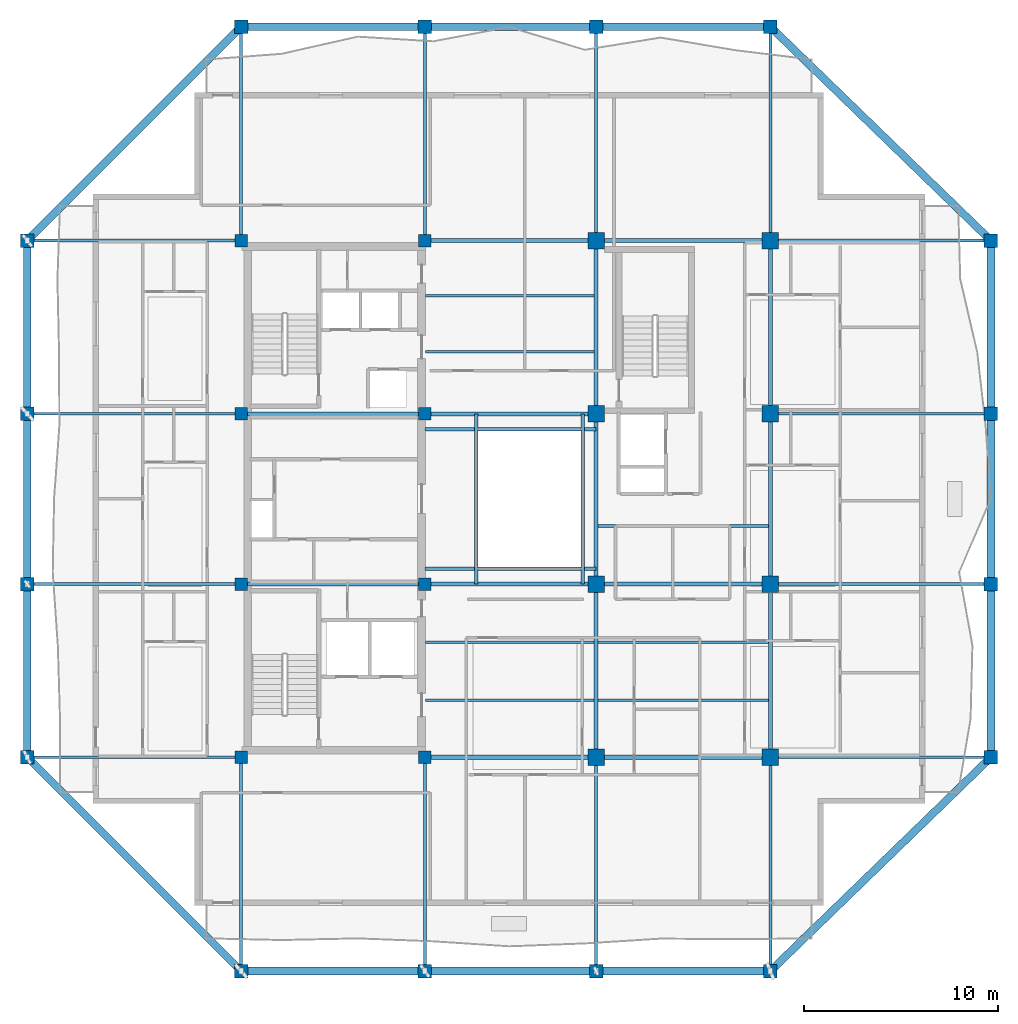
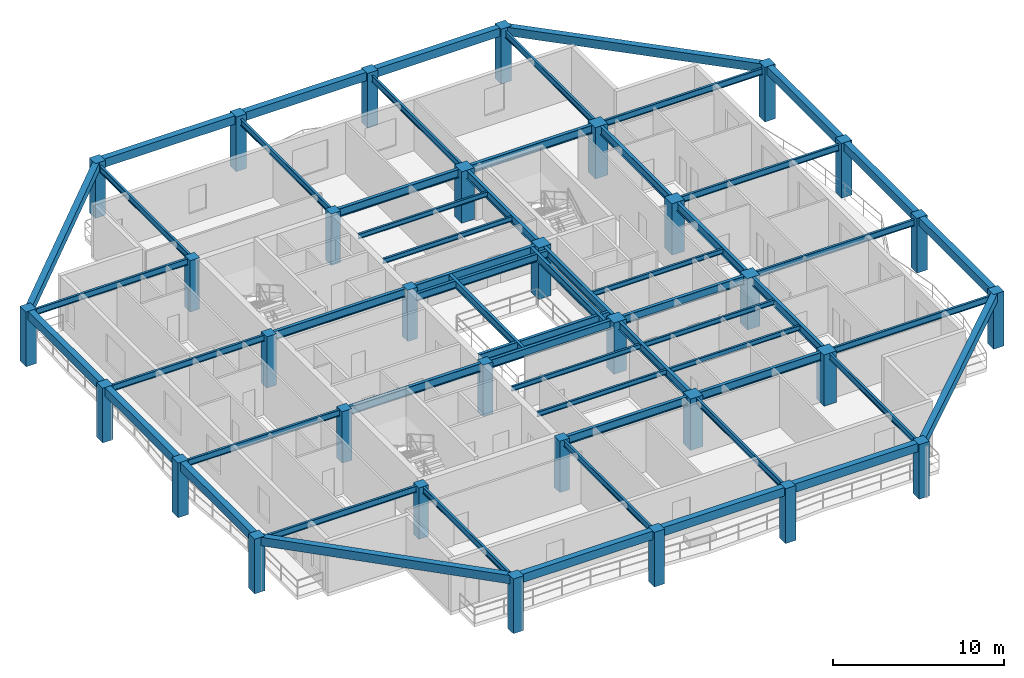
# One storey, part 1 of 13: 58 beams, 32 columns.
"""IFC4 building model written with IfcOpenShell, lengths in metres."""

from ifc_helpers import new_model, si_unit, direction, frame, origin, origin_2d, place, context, subcontext, project, spatial, rectangle, i_section, extrude, material, material_profile, profile_set, type_object, element, save


model = new_model("IFC4")

# Units and contexts
model_context = context("Model", 3, precision=1e-05, world=origin(), true_north=direction((0.0, 1.0)))
body_context = subcontext(model_context, "Body", "Model", "MODEL_VIEW")
ifc_project = project(units=[si_unit("LENGTHUNIT", "METRE"), si_unit("AREAUNIT", "SQUARE_METRE"), si_unit("VOLUMEUNIT", "CUBIC_METRE"), si_unit("PLANEANGLEUNIT", "RADIAN"), si_unit("MASSUNIT", "GRAM", prefix="KILO")], contexts=[model_context])

# Site, building, storey
site_placement = place(None, origin())
site = spatial("IfcSite", under=ifc_project, at=site_placement, CompositionType="ELEMENT")
building_placement = place(site_placement, origin())
building = spatial("IfcBuilding", under=site, at=building_placement, Name="Kundavana Baori Tower", CompositionType="ELEMENT")
storey_placement = place(building_placement, frame((0.0, 0.0, 229.699951171875)))
storey = spatial("IfcBuildingStorey", under=building, at=storey_placement, Name="L56", CompositionType="ELEMENT", Elevation=229.699951171875)

# Columns
ifc_material_1 = material(Name="Concrete C50/60", Category="concrete")
ifc_material_profile_1 = material_profile(ifc_material_1, rectangle(XDim=0.699951171875, YDim=0.699951171875, at=origin_2d()), Name="RC PF 700x700")
ifc_profile_set_1 = profile_set([ifc_material_profile_1], Name="Concrete C50/60")
column_type_1 = type_object("IfcColumnType", Name="COL-PF-700", PredefinedType="COLUMN", material=ifc_profile_set_1)
for number, where, z_axis, x_axis, name in (
    (1, (15.449951171875, 4.199951171875, 0.0), (0.0, 0.0, 1.0), (1.0, 0.0, 0.0), "L56 Stone-Clad Perimeter Frame Column PF-S1"),
    (2, (15.449951171875, 53.0, 0.0), (0.0, 0.0, 1.0), (1.0, 0.0, 0.0), "L56 Stone-Clad Perimeter Frame Column PF-N1"),
    (3, (24.949951171875, 4.199951171875, 0.0), (0.0, 0.0, 1.0), (1.0, 0.0, 0.0), "L56 Stone-Clad Perimeter Frame Column PF-S2"),
    (4, (24.949951171875, 53.0, 0.0), (0.0, 0.0, 1.0), (1.0, 0.0, 0.0), "L56 Stone-Clad Perimeter Frame Column PF-N2"),
    (5, (33.800048828125, 4.199951171875, 0.0), (0.0, 0.0, 1.0), (1.0, 0.0, 0.0), "L56 Stone-Clad Perimeter Frame Column PF-S3"),
    (6, (33.800048828125, 53.0, 0.0), (0.0, 0.0, 1.0), (1.0, 0.0, 0.0), "L56 Stone-Clad Perimeter Frame Column PF-N3"),
    (7, (42.800048828125, 4.199951171875, 0.0), (0.0, 0.0, 1.0), (1.0, 0.0, 0.0), "L56 Stone-Clad Perimeter Frame Column PF-S4"),
    (8, (42.800048828125, 53.0, 0.0), (0.0, 0.0, 1.0), (1.0, 0.0, 0.0), "L56 Stone-Clad Perimeter Frame Column PF-N4"),
    (9, (4.39990234375, 15.25, 0.0), (0.0, 0.0, 1.0), (1.0, 0.0, 0.0), "L56 Stone-Clad Perimeter Frame Column PF-W1"),
    (10, (54.199951171875, 15.25, 0.0), (0.0, 0.0, 1.0), (1.0, 0.0, 0.0), "L56 Stone-Clad Perimeter Frame Column PF-E1"),
    (11, (4.39990234375, 24.199951171875, 0.0), (0.0, 0.0, 1.0), (1.0, 0.0, 0.0), "L56 Stone-Clad Perimeter Frame Column PF-W2"),
    (12, (54.199951171875, 24.199951171875, 0.0), (0.0, 0.0, 1.0), (1.0, 0.0, 0.0), "L56 Stone-Clad Perimeter Frame Column PF-E2"),
    (13, (4.39990234375, 33.0, 0.0), (0.0, 0.0, 1.0), (1.0, 0.0, 0.0), "L56 Stone-Clad Perimeter Frame Column PF-W3"),
    (14, (54.199951171875, 33.0, 0.0), (0.0, 0.0, 1.0), (1.0, 0.0, 0.0), "L56 Stone-Clad Perimeter Frame Column PF-E3"),
    (15, (4.39990234375, 41.949951171875, 0.0), (0.0, 0.0, 1.0), (1.0, 0.0, 0.0), "L56 Stone-Clad Perimeter Frame Column PF-W4"),
    (16, (54.199951171875, 41.949951171875, 0.0), (0.0, 0.0, 1.0), (1.0, 0.0, 0.0), "L56 Stone-Clad Perimeter Frame Column PF-E4"),
):
    element("IfcColumn", number, at=place(storey_placement, frame(where, z_axis=z_axis, x_axis=x_axis)), inside=storey, type_object=column_type_1, Name=name, PredefinedType="COLUMN", context=body_context, shape_type="SweptSolid", body=[
        extrude(rectangle(XDim=0.699951171875, YDim=0.699951171875, at=origin_2d()), origin(), (0.0, 0.0, 1.0), 3.900146484375),
    ])
ifc_material_2 = material(Name="Concrete C50/60", Category="concrete")
ifc_material_profile_2 = material_profile(ifc_material_2, rectangle(XDim=0.64990234375, YDim=0.64990234375, at=origin_2d()), Name="RC 650x650")
ifc_profile_set_2 = profile_set([ifc_material_profile_2], Name="Concrete C50/60")
column_type_2 = type_object("IfcColumnType", Name="COL-RC-650", PredefinedType="COLUMN", material=ifc_profile_set_2)
for number, where, z_axis, x_axis, name in (
    (17, (15.449951171875, 15.25, 0.0), (0.0, 0.0, 1.0), (1.0, 0.0, 0.0), "L56 Interior Column IC-3C"),
    (18, (15.449951171875, 24.199951171875, 0.0), (0.0, 0.0, 1.0), (1.0, 0.0, 0.0), "L56 Interior Column IC-3D"),
    (19, (15.449951171875, 33.0, 0.0), (0.0, 0.0, 1.0), (1.0, 0.0, 0.0), "L56 Interior Column IC-3E"),
    (20, (15.449951171875, 41.949951171875, 0.0), (0.0, 0.0, 1.0), (1.0, 0.0, 0.0), "L56 Interior Column IC-3F"),
    (21, (24.949951171875, 15.25, 0.0), (0.0, 0.0, 1.0), (1.0, 0.0, 0.0), "L56 Interior Column IC-4C"),
    (22, (24.949951171875, 24.199951171875, 0.0), (0.0, 0.0, 1.0), (1.0, 0.0, 0.0), "L56 Interior Column IC-4D"),
    (23, (24.949951171875, 33.0, 0.0), (0.0, 0.0, 1.0), (1.0, 0.0, 0.0), "L56 Interior Column IC-4E"),
    (24, (24.949951171875, 41.949951171875, 0.0), (0.0, 0.0, 1.0), (1.0, 0.0, 0.0), "L56 Interior Column IC-4F"),
):
    element("IfcColumn", number, at=place(storey_placement, frame(where, z_axis=z_axis, x_axis=x_axis)), inside=storey, type_object=column_type_2, Name=name, PredefinedType="COLUMN", context=body_context, shape_type="SweptSolid", body=[
        extrude(rectangle(XDim=0.64990234375, YDim=0.64990234375, at=origin_2d()), origin(), (0.0, 0.0, 1.0), 3.66015625),
    ])
ifc_material_3 = material(Name="Concrete C50/60", Category="concrete")
ifc_material_profile_3 = material_profile(ifc_material_3, rectangle(XDim=0.85009765625, YDim=0.85009765625, at=origin_2d()), Name="RC 850x850")
ifc_profile_set_3 = profile_set([ifc_material_profile_3], Name="Concrete C50/60")
column_type_3 = type_object("IfcColumnType", Name="COL-RC-850", PredefinedType="COLUMN", material=ifc_profile_set_3)
for number, where, z_axis, x_axis, name in (
    (25, (33.800048828125, 15.25, 0.0), (0.0, 0.0, 1.0), (1.0, 0.0, 0.0), "L56 Interior Column IC-5C"),
    (26, (33.800048828125, 24.199951171875, 0.0), (0.0, 0.0, 1.0), (1.0, 0.0, 0.0), "L56 Interior Column IC-5D"),
    (27, (33.800048828125, 33.0, 0.0), (0.0, 0.0, 1.0), (1.0, 0.0, 0.0), "L56 Interior Column IC-5E"),
    (28, (33.800048828125, 41.949951171875, 0.0), (0.0, 0.0, 1.0), (1.0, 0.0, 0.0), "L56 Interior Column IC-5F"),
    (29, (42.800048828125, 15.25, 0.0), (0.0, 0.0, 1.0), (1.0, 0.0, 0.0), "L56 Interior Column IC-6C"),
    (30, (42.800048828125, 24.199951171875, 0.0), (0.0, 0.0, 1.0), (1.0, 0.0, 0.0), "L56 Interior Column IC-6D"),
    (31, (42.800048828125, 33.0, 0.0), (0.0, 0.0, 1.0), (1.0, 0.0, 0.0), "L56 Interior Column IC-6E"),
    (32, (42.800048828125, 41.949951171875, 0.0), (0.0, 0.0, 1.0), (1.0, 0.0, 0.0), "L56 Interior Column IC-6F"),
):
    element("IfcColumn", number, at=place(storey_placement, frame(where, z_axis=z_axis, x_axis=x_axis)), inside=storey, type_object=column_type_3, Name=name, PredefinedType="COLUMN", context=body_context, shape_type="SweptSolid", body=[
        extrude(rectangle(XDim=0.85009765625, YDim=0.85009765625, at=origin_2d()), origin(), (0.0, 0.0, 1.0), 3.66015625),
    ])

# Beams
ifc_material_4 = material(Name="Structural Steel S355JR", Category="steel")
ifc_material_profile_4 = material_profile(ifc_material_4, i_section(OverallWidth=0.139892578125, OverallDepth=0.35009765625, WebThickness=0.008056640625, FlangeThickness=0.01416015625, FilletRadius=0.013916015625, at=origin_2d()), Name="ISMB 350")
ifc_profile_set_4 = profile_set([ifc_material_profile_4], Name="Structural Steel S355JR")
beam_type_1 = type_object("IfcBeamType", Name="BM-JST-350", PredefinedType="JOIST", material=ifc_profile_set_4)
for number, where, z_axis, x_axis, name in (
    (33, (24.97998046875, 18.199951171875, 3.485107421875), (1.0, 0.0, 0.0), (0.0, 1.0, 0.0), "L56 Central Bay Composite Floor Joist C1"),
    (34, (24.97998046875, 21.199951171875, 3.485107421875), (1.0, 0.0, 0.0), (0.0, 1.0, 0.0), "L56 Central Bay Composite Floor Joist C2"),
    (35, (24.97998046875, 36.199951171875, 3.485107421875), (1.0, 0.0, 0.0), (0.0, 1.0, 0.0), "L56 Central Bay Composite Floor Joist C3"),
    (36, (24.97998046875, 39.10009765625, 3.485107421875), (1.0, 0.0, 0.0), (0.0, 1.0, 0.0), "L56 Central Bay Composite Floor Joist C4"),
):
    element("IfcBeam", number, at=place(storey_placement, frame(where, z_axis=z_axis, x_axis=x_axis)), inside=storey, type_object=beam_type_1, Name=name, PredefinedType="JOIST", context=body_context, shape_type="SweptSolid", body=[
        extrude(i_section(OverallWidth=0.139892578125, OverallDepth=0.35009765625, WebThickness=0.008056640625, FlangeThickness=0.01416015625, FilletRadius=0.013916015625, at=origin_2d()), origin(), (0.0, 0.0, 1.0), 8.715087890625),
    ])
for number, where, z_axis, x_axis, name in (
    (37, (33.905029296875, 18.199951171875, 3.485107421875), (1.0, 0.0, 0.0), (0.0, 1.0, 0.0), "L56 East Bay Composite Floor Joist E1"),
    (38, (33.905029296875, 21.199951171875, 3.485107421875), (1.0, 0.0, 0.0), (0.0, 1.0, 0.0), "L56 East Bay Composite Floor Joist E2"),
    (39, (33.905029296875, 27.199951171875, 3.485107421875), (1.0, 0.0, 0.0), (0.0, 1.0, 0.0), "L56 East Bay Composite Floor Joist E3"),
):
    element("IfcBeam", number, at=place(storey_placement, frame(where, z_axis=z_axis, x_axis=x_axis)), inside=storey, type_object=beam_type_1, Name=name, PredefinedType="JOIST", context=body_context, shape_type="SweptSolid", body=[
        extrude(i_section(OverallWidth=0.139892578125, OverallDepth=0.35009765625, WebThickness=0.008056640625, FlangeThickness=0.01416015625, FilletRadius=0.013916015625, at=origin_2d()), origin(), (0.0, 0.0, 1.0), 8.7900390625),
    ])
ifc_material_5 = material(Name="Concrete C50/60", Category="concrete")
ifc_material_profile_5 = material_profile(ifc_material_5, rectangle(XDim=0.39990234375, YDim=0.60009765625, at=origin_2d()), Name="RC BM 400x600")
ifc_profile_set_5 = profile_set([ifc_material_profile_5], Name="Concrete C50/60")
beam_type_2 = type_object("IfcBeamType", Name="BM-PF-600", PredefinedType="SPANDREL", material=ifc_profile_set_5)
beam_1_placement = place(storey_placement, frame((15.449951171875, 4.199951171875, 3.60009765625), z_axis=(1.0, 0.0, 0.0), x_axis=(0.0, 1.0, 0.0)))
element("IfcBeam", 40, at=beam_1_placement, inside=storey, type_object=beam_type_2, Name="L56 Perimeter Frame Ring Beam S1", PredefinedType="SPANDREL", context=body_context, shape_type="SweptSolid", body=[
    extrude(rectangle(XDim=0.39990234375, YDim=0.60009765625, at=origin_2d()), origin(), (0.0, 0.0, 1.0), 9.5),
])
beam_2_placement = place(storey_placement, frame((24.949951171875, 4.199951171875, 3.60009765625), z_axis=(1.0, 0.0, 0.0), x_axis=(0.0, 1.0, 0.0)))
element("IfcBeam", 41, at=beam_2_placement, inside=storey, type_object=beam_type_2, Name="L56 Perimeter Frame Ring Beam S2", PredefinedType="SPANDREL", context=body_context, shape_type="SweptSolid", body=[
    extrude(rectangle(XDim=0.39990234375, YDim=0.60009765625, at=origin_2d()), origin(), (0.0, 0.0, 1.0), 8.85009765625),
])
beam_3_placement = place(storey_placement, frame((33.800048828125, 4.199951171875, 3.60009765625), z_axis=(1.0, 0.0, 0.0), x_axis=(0.0, 1.0, 0.0)))
element("IfcBeam", 42, at=beam_3_placement, inside=storey, type_object=beam_type_2, Name="L56 Perimeter Frame Ring Beam S3", PredefinedType="SPANDREL", context=body_context, shape_type="SweptSolid", body=[
    extrude(rectangle(XDim=0.39990234375, YDim=0.60009765625, at=origin_2d()), origin(), (0.0, 0.0, 1.0), 9.0),
])
beam_4_placement = place(storey_placement, frame((15.449951171875, 53.0, 3.60009765625), z_axis=(1.0, 0.0, 0.0), x_axis=(0.0, 1.0, 0.0)))
element("IfcBeam", 43, at=beam_4_placement, inside=storey, type_object=beam_type_2, Name="L56 Perimeter Frame Ring Beam N1", PredefinedType="SPANDREL", context=body_context, shape_type="SweptSolid", body=[
    extrude(rectangle(XDim=0.39990234375, YDim=0.60009765625, at=origin_2d()), origin(), (0.0, 0.0, 1.0), 9.5),
])
beam_5_placement = place(storey_placement, frame((24.949951171875, 53.0, 3.60009765625), z_axis=(1.0, 0.0, 0.0), x_axis=(0.0, 1.0, 0.0)))
element("IfcBeam", 44, at=beam_5_placement, inside=storey, type_object=beam_type_2, Name="L56 Perimeter Frame Ring Beam N2", PredefinedType="SPANDREL", context=body_context, shape_type="SweptSolid", body=[
    extrude(rectangle(XDim=0.39990234375, YDim=0.60009765625, at=origin_2d()), origin(), (0.0, 0.0, 1.0), 8.85009765625),
])
beam_6_placement = place(storey_placement, frame((33.800048828125, 53.0, 3.60009765625), z_axis=(1.0, 0.0, 0.0), x_axis=(0.0, 1.0, 0.0)))
element("IfcBeam", 45, at=beam_6_placement, inside=storey, type_object=beam_type_2, Name="L56 Perimeter Frame Ring Beam N3", PredefinedType="SPANDREL", context=body_context, shape_type="SweptSolid", body=[
    extrude(rectangle(XDim=0.39990234375, YDim=0.60009765625, at=origin_2d()), origin(), (0.0, 0.0, 1.0), 9.0),
])
beam_7_placement = place(storey_placement, frame((4.39990234375, 15.25, 3.60009765625), z_axis=(0.0, 1.0, 0.0), x_axis=(-1.0, 0.0, 0.0)))
element("IfcBeam", 46, at=beam_7_placement, inside=storey, type_object=beam_type_2, Name="L56 Perimeter Frame Ring Beam W1", PredefinedType="SPANDREL", context=body_context, shape_type="SweptSolid", body=[
    extrude(rectangle(XDim=0.39990234375, YDim=0.60009765625, at=origin_2d()), origin(), (0.0, 0.0, 1.0), 8.949951171875),
])
beam_8_placement = place(storey_placement, frame((4.39990234375, 24.199951171875, 3.60009765625), z_axis=(0.0, 1.0, 0.0), x_axis=(-1.0, 0.0, 0.0)))
element("IfcBeam", 47, at=beam_8_placement, inside=storey, type_object=beam_type_2, Name="L56 Perimeter Frame Ring Beam W2", PredefinedType="SPANDREL", context=body_context, shape_type="SweptSolid", body=[
    extrude(rectangle(XDim=0.39990234375, YDim=0.60009765625, at=origin_2d()), origin(), (0.0, 0.0, 1.0), 8.800048828125),
])
for number, where, z_axis, x_axis, name in (
    (48, (4.39990234375, 33.0, 3.60009765625), (0.0, 1.0, 0.0), (-1.0, 0.0, 0.0), "L56 Perimeter Frame Ring Beam W3"),
    (49, (54.199951171875, 15.25, 3.60009765625), (0.0, 1.0, 0.0), (-1.0, 0.0, 0.0), "L56 Perimeter Frame Ring Beam E1"),
):
    element("IfcBeam", number, at=place(storey_placement, frame(where, z_axis=z_axis, x_axis=x_axis)), inside=storey, type_object=beam_type_2, Name=name, PredefinedType="SPANDREL", context=body_context, shape_type="SweptSolid", body=[
        extrude(rectangle(XDim=0.39990234375, YDim=0.60009765625, at=origin_2d()), origin(), (0.0, 0.0, 1.0), 8.949951171875),
    ])
beam_9_placement = place(storey_placement, frame((54.199951171875, 24.199951171875, 3.60009765625), z_axis=(0.0, 1.0, 0.0), x_axis=(-1.0, 0.0, 0.0)))
element("IfcBeam", 50, at=beam_9_placement, inside=storey, type_object=beam_type_2, Name="L56 Perimeter Frame Ring Beam E2", PredefinedType="SPANDREL", context=body_context, shape_type="SweptSolid", body=[
    extrude(rectangle(XDim=0.39990234375, YDim=0.60009765625, at=origin_2d()), origin(), (0.0, 0.0, 1.0), 8.800048828125),
])
beam_10_placement = place(storey_placement, frame((54.199951171875, 33.0, 3.60009765625), z_axis=(0.0, 1.0, 0.0), x_axis=(-1.0, 0.0, 0.0)))
element("IfcBeam", 51, at=beam_10_placement, inside=storey, type_object=beam_type_2, Name="L56 Perimeter Frame Ring Beam E3", PredefinedType="SPANDREL", context=body_context, shape_type="SweptSolid", body=[
    extrude(rectangle(XDim=0.39990234375, YDim=0.60009765625, at=origin_2d()), origin(), (0.0, 0.0, 1.0), 8.949951171875),
])
beam_11_placement = place(storey_placement, frame((15.449951171875, 4.199951171875, 3.60009765625), z_axis=(-0.707106781187, 0.707106781187, 0.0), x_axis=(-0.707106781187, -0.707106781187, 0.0)))
element("IfcBeam", 52, at=beam_11_placement, inside=storey, type_object=beam_type_2, Name="L56 Notched Corner Perimeter Beam SW", PredefinedType="SPANDREL", context=body_context, shape_type="SweptSolid", body=[
    extrude(rectangle(XDim=0.39990234375, YDim=0.60009765625, at=origin_2d()), origin(), (0.0, 0.0, 1.0), 15.627197265625),
])
beam_12_placement = place(storey_placement, frame((42.800048828125, 4.199951171875, 3.60009765625), z_axis=(0.718038944492, 0.696002926857, 0.0), x_axis=(-0.696002926857, 0.718038944492, 0.0)))
element("IfcBeam", 53, at=beam_12_placement, inside=storey, type_object=beam_type_2, Name="L56 Notched Corner Perimeter Beam SE", PredefinedType="SPANDREL", context=body_context, shape_type="SweptSolid", body=[
    extrude(rectangle(XDim=0.39990234375, YDim=0.60009765625, at=origin_2d()), origin(), (0.0, 0.0, 1.0), 15.87646484375),
])
beam_13_placement = place(storey_placement, frame((15.449951171875, 53.0, 3.60009765625), z_axis=(-0.707106781187, -0.707106781187, 0.0), x_axis=(0.707106781187, -0.707106781187, 0.0)))
element("IfcBeam", 54, at=beam_13_placement, inside=storey, type_object=beam_type_2, Name="L56 Notched Corner Perimeter Beam NW", PredefinedType="SPANDREL", context=body_context, shape_type="SweptSolid", body=[
    extrude(rectangle(XDim=0.39990234375, YDim=0.60009765625, at=origin_2d()), origin(), (0.0, 0.0, 1.0), 15.627197265625),
])
beam_14_placement = place(storey_placement, frame((42.800048828125, 53.0, 3.60009765625), z_axis=(0.718038944492, -0.696002926857, 0.0), x_axis=(0.696002926857, 0.718038944492, 0.0)))
element("IfcBeam", 55, at=beam_14_placement, inside=storey, type_object=beam_type_2, Name="L56 Notched Corner Perimeter Beam NE", PredefinedType="SPANDREL", context=body_context, shape_type="SweptSolid", body=[
    extrude(rectangle(XDim=0.39990234375, YDim=0.60009765625, at=origin_2d()), origin(), (0.0, 0.0, 1.0), 15.87646484375),
])
ifc_material_6 = material(Name="Structural Steel S355JR", Category="steel")
ifc_material_profile_6 = material_profile(ifc_material_6, i_section(OverallWidth=0.18994140625, OverallDepth=0.550048828125, WebThickness=0.01123046875, FlangeThickness=0.019287109375, FilletRadius=0.01806640625, at=origin_2d()), Name="ISMB 550")
ifc_profile_set_6 = profile_set([ifc_material_profile_6], Name="Structural Steel S355JR")
beam_type_3 = type_object("IfcBeamType", Name="BM-ST-550", PredefinedType="BEAM", material=ifc_profile_set_6)
for number, where, z_axis, x_axis, name in (
    (56, (27.60009765625, 24.199951171875, 3.385009765625), (0.0, 1.0, 0.0), (-1.0, 0.0, 0.0), "L56 Atrium West Edge Beam"),
    (57, (33.10009765625, 24.199951171875, 3.385009765625), (0.0, 1.0, 0.0), (-1.0, 0.0, 0.0), "L56 Atrium East Edge Beam"),
):
    element("IfcBeam", number, at=place(storey_placement, frame(where, z_axis=z_axis, x_axis=x_axis)), inside=storey, type_object=beam_type_3, Name=name, PredefinedType="BEAM", context=body_context, shape_type="SweptSolid", body=[
        extrude(i_section(OverallWidth=0.18994140625, OverallDepth=0.550048828125, WebThickness=0.01123046875, FlangeThickness=0.019287109375, FilletRadius=0.01806640625, at=origin_2d()), origin(), (0.0, 0.0, 1.0), 8.800048828125),
    ])
for number, where, z_axis, x_axis, name in (
    (58, (24.949951171875, 25.0, 3.385009765625), (1.0, 0.0, 0.0), (0.0, 1.0, 0.0), "L56 Atrium South Edge Beam"),
    (59, (24.949951171875, 32.199951171875, 3.385009765625), (1.0, 0.0, 0.0), (0.0, 1.0, 0.0), "L56 Atrium North Edge Beam"),
):
    element("IfcBeam", number, at=place(storey_placement, frame(where, z_axis=z_axis, x_axis=x_axis)), inside=storey, type_object=beam_type_3, Name=name, PredefinedType="BEAM", context=body_context, shape_type="SweptSolid", body=[
        extrude(i_section(OverallWidth=0.18994140625, OverallDepth=0.550048828125, WebThickness=0.01123046875, FlangeThickness=0.019287109375, FilletRadius=0.01806640625, at=origin_2d()), origin(), (0.0, 0.0, 1.0), 8.85009765625),
    ])
ifc_material_7 = material(Name="Structural Steel S355JR", Category="steel")
ifc_material_profile_7 = material_profile(ifc_material_7, i_section(OverallWidth=0.2099609375, OverallDepth=0.60009765625, WebThickness=0.011962890625, FlangeThickness=0.020751953125, FilletRadius=0.02001953125, at=origin_2d()), Name="ISMB 600")
ifc_profile_set_7 = profile_set([ifc_material_profile_7], Name="Structural Steel S355JR")
beam_type_4 = type_object("IfcBeamType", Name="BM-ST-600", PredefinedType="BEAM", material=ifc_profile_set_7)
beam_15_placement = place(storey_placement, frame((24.949951171875, 15.25, 3.360107421875), z_axis=(1.0, 0.0, 0.0), x_axis=(0.0, 1.0, 0.0)))
element("IfcBeam", 60, at=beam_15_placement, inside=storey, type_object=beam_type_4, Name="L56 Primary Grid Girder GX-1-2", PredefinedType="BEAM", context=body_context, shape_type="SweptSolid", body=[
    extrude(i_section(OverallWidth=0.2099609375, OverallDepth=0.60009765625, WebThickness=0.011962890625, FlangeThickness=0.020751953125, FilletRadius=0.02001953125, at=origin_2d()), origin(), (0.0, 0.0, 1.0), 8.85009765625),
])
beam_16_placement = place(storey_placement, frame((33.800048828125, 15.25, 3.360107421875), z_axis=(1.0, 0.0, 0.0), x_axis=(0.0, 1.0, 0.0)))
element("IfcBeam", 61, at=beam_16_placement, inside=storey, type_object=beam_type_4, Name="L56 Primary Grid Girder GX-1-3", PredefinedType="BEAM", context=body_context, shape_type="SweptSolid", body=[
    extrude(i_section(OverallWidth=0.2099609375, OverallDepth=0.60009765625, WebThickness=0.011962890625, FlangeThickness=0.020751953125, FilletRadius=0.02001953125, at=origin_2d()), origin(), (0.0, 0.0, 1.0), 9.0),
])
beam_17_placement = place(storey_placement, frame((15.449951171875, 24.199951171875, 3.360107421875), z_axis=(1.0, 0.0, 0.0), x_axis=(0.0, 1.0, 0.0)))
element("IfcBeam", 62, at=beam_17_placement, inside=storey, type_object=beam_type_4, Name="L56 Primary Grid Girder GX-2-1", PredefinedType="BEAM", context=body_context, shape_type="SweptSolid", body=[
    extrude(i_section(OverallWidth=0.2099609375, OverallDepth=0.60009765625, WebThickness=0.011962890625, FlangeThickness=0.020751953125, FilletRadius=0.02001953125, at=origin_2d()), origin(), (0.0, 0.0, 1.0), 9.5),
])
beam_18_placement = place(storey_placement, frame((24.949951171875, 24.199951171875, 3.360107421875), z_axis=(1.0, 0.0, 0.0), x_axis=(0.0, 1.0, 0.0)))
element("IfcBeam", 63, at=beam_18_placement, inside=storey, type_object=beam_type_4, Name="L56 Primary Grid Girder GX-2-2", PredefinedType="BEAM", context=body_context, shape_type="SweptSolid", body=[
    extrude(i_section(OverallWidth=0.2099609375, OverallDepth=0.60009765625, WebThickness=0.011962890625, FlangeThickness=0.020751953125, FilletRadius=0.02001953125, at=origin_2d()), origin(), (0.0, 0.0, 1.0), 8.85009765625),
])
beam_19_placement = place(storey_placement, frame((33.800048828125, 24.199951171875, 3.360107421875), z_axis=(1.0, 0.0, 0.0), x_axis=(0.0, 1.0, 0.0)))
element("IfcBeam", 64, at=beam_19_placement, inside=storey, type_object=beam_type_4, Name="L56 Primary Grid Girder GX-2-3", PredefinedType="BEAM", context=body_context, shape_type="SweptSolid", body=[
    extrude(i_section(OverallWidth=0.2099609375, OverallDepth=0.60009765625, WebThickness=0.011962890625, FlangeThickness=0.020751953125, FilletRadius=0.02001953125, at=origin_2d()), origin(), (0.0, 0.0, 1.0), 9.0),
])
beam_20_placement = place(storey_placement, frame((15.449951171875, 33.0, 3.360107421875), z_axis=(1.0, 0.0, 0.0), x_axis=(0.0, 1.0, 0.0)))
element("IfcBeam", 65, at=beam_20_placement, inside=storey, type_object=beam_type_4, Name="L56 Primary Grid Girder GX-3-1", PredefinedType="BEAM", context=body_context, shape_type="SweptSolid", body=[
    extrude(i_section(OverallWidth=0.2099609375, OverallDepth=0.60009765625, WebThickness=0.011962890625, FlangeThickness=0.020751953125, FilletRadius=0.02001953125, at=origin_2d()), origin(), (0.0, 0.0, 1.0), 9.5),
])
for number, where, z_axis, x_axis, name in (
    (66, (24.949951171875, 33.0, 3.360107421875), (1.0, 0.0, 0.0), (0.0, 1.0, 0.0), "L56 Primary Grid Girder GX-3-2"),
    (67, (24.949951171875, 41.949951171875, 3.360107421875), (1.0, 0.0, 0.0), (0.0, 1.0, 0.0), "L56 Primary Grid Girder GX-4-2"),
):
    element("IfcBeam", number, at=place(storey_placement, frame(where, z_axis=z_axis, x_axis=x_axis)), inside=storey, type_object=beam_type_4, Name=name, PredefinedType="BEAM", context=body_context, shape_type="SweptSolid", body=[
        extrude(i_section(OverallWidth=0.2099609375, OverallDepth=0.60009765625, WebThickness=0.011962890625, FlangeThickness=0.020751953125, FilletRadius=0.02001953125, at=origin_2d()), origin(), (0.0, 0.0, 1.0), 8.85009765625),
    ])
beam_21_placement = place(storey_placement, frame((33.800048828125, 41.949951171875, 3.360107421875), z_axis=(1.0, 0.0, 0.0), x_axis=(0.0, 1.0, 0.0)))
element("IfcBeam", 68, at=beam_21_placement, inside=storey, type_object=beam_type_4, Name="L56 Primary Grid Girder GX-4-3", PredefinedType="BEAM", context=body_context, shape_type="SweptSolid", body=[
    extrude(i_section(OverallWidth=0.2099609375, OverallDepth=0.60009765625, WebThickness=0.011962890625, FlangeThickness=0.020751953125, FilletRadius=0.02001953125, at=origin_2d()), origin(), (0.0, 0.0, 1.0), 9.0),
])
beam_22_placement = place(storey_placement, frame((33.800048828125, 15.25, 3.360107421875), z_axis=(0.0, 1.0, 0.0), x_axis=(-1.0, 0.0, 0.0)))
element("IfcBeam", 69, at=beam_22_placement, inside=storey, type_object=beam_type_4, Name="L56 Primary Grid Girder GY-3-1", PredefinedType="BEAM", context=body_context, shape_type="SweptSolid", body=[
    extrude(i_section(OverallWidth=0.2099609375, OverallDepth=0.60009765625, WebThickness=0.011962890625, FlangeThickness=0.020751953125, FilletRadius=0.02001953125, at=origin_2d()), origin(), (0.0, 0.0, 1.0), 8.949951171875),
])
beam_23_placement = place(storey_placement, frame((33.800048828125, 24.199951171875, 3.360107421875), z_axis=(0.0, 1.0, 0.0), x_axis=(-1.0, 0.0, 0.0)))
element("IfcBeam", 70, at=beam_23_placement, inside=storey, type_object=beam_type_4, Name="L56 Primary Grid Girder GY-3-2", PredefinedType="BEAM", context=body_context, shape_type="SweptSolid", body=[
    extrude(i_section(OverallWidth=0.2099609375, OverallDepth=0.60009765625, WebThickness=0.011962890625, FlangeThickness=0.020751953125, FilletRadius=0.02001953125, at=origin_2d()), origin(), (0.0, 0.0, 1.0), 8.800048828125),
])
for number, where, z_axis, x_axis, name in (
    (71, (33.800048828125, 33.0, 3.360107421875), (0.0, 1.0, 0.0), (-1.0, 0.0, 0.0), "L56 Primary Grid Girder GY-3-3"),
    (72, (42.800048828125, 15.25, 3.360107421875), (0.0, 1.0, 0.0), (-1.0, 0.0, 0.0), "L56 Primary Grid Girder GY-4-1"),
):
    element("IfcBeam", number, at=place(storey_placement, frame(where, z_axis=z_axis, x_axis=x_axis)), inside=storey, type_object=beam_type_4, Name=name, PredefinedType="BEAM", context=body_context, shape_type="SweptSolid", body=[
        extrude(i_section(OverallWidth=0.2099609375, OverallDepth=0.60009765625, WebThickness=0.011962890625, FlangeThickness=0.020751953125, FilletRadius=0.02001953125, at=origin_2d()), origin(), (0.0, 0.0, 1.0), 8.949951171875),
    ])
beam_24_placement = place(storey_placement, frame((42.800048828125, 24.199951171875, 3.360107421875), z_axis=(0.0, 1.0, 0.0), x_axis=(-1.0, 0.0, 0.0)))
element("IfcBeam", 73, at=beam_24_placement, inside=storey, type_object=beam_type_4, Name="L56 Primary Grid Girder GY-4-2", PredefinedType="BEAM", context=body_context, shape_type="SweptSolid", body=[
    extrude(i_section(OverallWidth=0.2099609375, OverallDepth=0.60009765625, WebThickness=0.011962890625, FlangeThickness=0.020751953125, FilletRadius=0.02001953125, at=origin_2d()), origin(), (0.0, 0.0, 1.0), 8.800048828125),
])
beam_25_placement = place(storey_placement, frame((42.800048828125, 33.0, 3.360107421875), z_axis=(0.0, 1.0, 0.0), x_axis=(-1.0, 0.0, 0.0)))
element("IfcBeam", 74, at=beam_25_placement, inside=storey, type_object=beam_type_4, Name="L56 Primary Grid Girder GY-4-3", PredefinedType="BEAM", context=body_context, shape_type="SweptSolid", body=[
    extrude(i_section(OverallWidth=0.2099609375, OverallDepth=0.60009765625, WebThickness=0.011962890625, FlangeThickness=0.020751953125, FilletRadius=0.02001953125, at=origin_2d()), origin(), (0.0, 0.0, 1.0), 8.949951171875),
])
ifc_material_8 = material(Name="Structural Steel S355JR", Category="steel")
ifc_material_profile_8 = material_profile(ifc_material_8, i_section(OverallWidth=0.14990234375, OverallDepth=0.449951171875, WebThickness=0.009521484375, FlangeThickness=0.017333984375, FilletRadius=0.014892578125, at=origin_2d()), Name="ISMB 450")
ifc_profile_set_8 = profile_set([ifc_material_profile_8], Name="Structural Steel S355JR")
beam_type_5 = type_object("IfcBeamType", Name="BM-TIE-450", PredefinedType="BEAM", material=ifc_profile_set_8)
for number, where, z_axis, x_axis, name in (
    (75, (15.449951171875, 15.25, 3.43505859375), (0.0, -1.0, 0.0), (1.0, 0.0, 0.0), "L56 South Radial Loggia Tie Beam S1"),
    (76, (15.449951171875, 41.949951171875, 3.43505859375), (0.0, 1.0, 0.0), (-1.0, 0.0, 0.0), "L56 North Radial Loggia Tie Beam N1"),
    (77, (24.949951171875, 15.25, 3.43505859375), (0.0, -1.0, 0.0), (1.0, 0.0, 0.0), "L56 South Radial Loggia Tie Beam S2"),
    (78, (24.949951171875, 41.949951171875, 3.43505859375), (0.0, 1.0, 0.0), (-1.0, 0.0, 0.0), "L56 North Radial Loggia Tie Beam N2"),
    (79, (33.800048828125, 15.25, 3.43505859375), (0.0, -1.0, 0.0), (1.0, 0.0, 0.0), "L56 South Radial Loggia Tie Beam S3"),
    (80, (33.800048828125, 41.949951171875, 3.43505859375), (0.0, 1.0, 0.0), (-1.0, 0.0, 0.0), "L56 North Radial Loggia Tie Beam N3"),
    (81, (42.800048828125, 15.25, 3.43505859375), (0.0, -1.0, 0.0), (1.0, 0.0, 0.0), "L56 South Radial Loggia Tie Beam S4"),
    (82, (42.800048828125, 41.949951171875, 3.43505859375), (0.0, 1.0, 0.0), (-1.0, 0.0, 0.0), "L56 North Radial Loggia Tie Beam N4"),
    (83, (15.449951171875, 15.25, 3.43505859375), (-1.0, 0.0, 0.0), (0.0, -1.0, 0.0), "L56 West Radial Loggia Tie Beam W1"),
):
    element("IfcBeam", number, at=place(storey_placement, frame(where, z_axis=z_axis, x_axis=x_axis)), inside=storey, type_object=beam_type_5, Name=name, PredefinedType="BEAM", context=body_context, shape_type="SweptSolid", body=[
        extrude(i_section(OverallWidth=0.14990234375, OverallDepth=0.449951171875, WebThickness=0.009521484375, FlangeThickness=0.017333984375, FilletRadius=0.014892578125, at=origin_2d()), origin(), (0.0, 0.0, 1.0), 11.050048828125),
    ])
beam_26_placement = place(storey_placement, frame((42.800048828125, 15.25, 3.43505859375), z_axis=(1.0, 0.0, 0.0), x_axis=(0.0, 1.0, 0.0)))
element("IfcBeam", 84, at=beam_26_placement, inside=storey, type_object=beam_type_5, Name="L56 East Radial Loggia Tie Beam E1", PredefinedType="BEAM", context=body_context, shape_type="SweptSolid", body=[
    extrude(i_section(OverallWidth=0.14990234375, OverallDepth=0.449951171875, WebThickness=0.009521484375, FlangeThickness=0.017333984375, FilletRadius=0.014892578125, at=origin_2d()), origin(), (0.0, 0.0, 1.0), 11.39990234375),
])
beam_27_placement = place(storey_placement, frame((15.449951171875, 24.199951171875, 3.43505859375), z_axis=(-1.0, 0.0, 0.0), x_axis=(0.0, -1.0, 0.0)))
element("IfcBeam", 85, at=beam_27_placement, inside=storey, type_object=beam_type_5, Name="L56 West Radial Loggia Tie Beam W2", PredefinedType="BEAM", context=body_context, shape_type="SweptSolid", body=[
    extrude(i_section(OverallWidth=0.14990234375, OverallDepth=0.449951171875, WebThickness=0.009521484375, FlangeThickness=0.017333984375, FilletRadius=0.014892578125, at=origin_2d()), origin(), (0.0, 0.0, 1.0), 11.050048828125),
])
beam_28_placement = place(storey_placement, frame((42.800048828125, 24.199951171875, 3.43505859375), z_axis=(1.0, 0.0, 0.0), x_axis=(0.0, 1.0, 0.0)))
element("IfcBeam", 86, at=beam_28_placement, inside=storey, type_object=beam_type_5, Name="L56 East Radial Loggia Tie Beam E2", PredefinedType="BEAM", context=body_context, shape_type="SweptSolid", body=[
    extrude(i_section(OverallWidth=0.14990234375, OverallDepth=0.449951171875, WebThickness=0.009521484375, FlangeThickness=0.017333984375, FilletRadius=0.014892578125, at=origin_2d()), origin(), (0.0, 0.0, 1.0), 11.39990234375),
])
beam_29_placement = place(storey_placement, frame((15.449951171875, 33.0, 3.43505859375), z_axis=(-1.0, 0.0, 0.0), x_axis=(0.0, -1.0, 0.0)))
element("IfcBeam", 87, at=beam_29_placement, inside=storey, type_object=beam_type_5, Name="L56 West Radial Loggia Tie Beam W3", PredefinedType="BEAM", context=body_context, shape_type="SweptSolid", body=[
    extrude(i_section(OverallWidth=0.14990234375, OverallDepth=0.449951171875, WebThickness=0.009521484375, FlangeThickness=0.017333984375, FilletRadius=0.014892578125, at=origin_2d()), origin(), (0.0, 0.0, 1.0), 11.050048828125),
])
beam_30_placement = place(storey_placement, frame((42.800048828125, 33.0, 3.43505859375), z_axis=(1.0, 0.0, 0.0), x_axis=(0.0, 1.0, 0.0)))
element("IfcBeam", 88, at=beam_30_placement, inside=storey, type_object=beam_type_5, Name="L56 East Radial Loggia Tie Beam E3", PredefinedType="BEAM", context=body_context, shape_type="SweptSolid", body=[
    extrude(i_section(OverallWidth=0.14990234375, OverallDepth=0.449951171875, WebThickness=0.009521484375, FlangeThickness=0.017333984375, FilletRadius=0.014892578125, at=origin_2d()), origin(), (0.0, 0.0, 1.0), 11.39990234375),
])
beam_31_placement = place(storey_placement, frame((15.449951171875, 41.949951171875, 3.43505859375), z_axis=(-1.0, 0.0, 0.0), x_axis=(0.0, -1.0, 0.0)))
element("IfcBeam", 89, at=beam_31_placement, inside=storey, type_object=beam_type_5, Name="L56 West Radial Loggia Tie Beam W4", PredefinedType="BEAM", context=body_context, shape_type="SweptSolid", body=[
    extrude(i_section(OverallWidth=0.14990234375, OverallDepth=0.449951171875, WebThickness=0.009521484375, FlangeThickness=0.017333984375, FilletRadius=0.014892578125, at=origin_2d()), origin(), (0.0, 0.0, 1.0), 11.050048828125),
])
beam_32_placement = place(storey_placement, frame((42.800048828125, 41.949951171875, 3.43505859375), z_axis=(1.0, 0.0, 0.0), x_axis=(0.0, 1.0, 0.0)))
element("IfcBeam", 90, at=beam_32_placement, inside=storey, type_object=beam_type_5, Name="L56 East Radial Loggia Tie Beam E4", PredefinedType="BEAM", context=body_context, shape_type="SweptSolid", body=[
    extrude(i_section(OverallWidth=0.14990234375, OverallDepth=0.449951171875, WebThickness=0.009521484375, FlangeThickness=0.017333984375, FilletRadius=0.014892578125, at=origin_2d()), origin(), (0.0, 0.0, 1.0), 11.39990234375),
])

save(model, "model.ifc")
